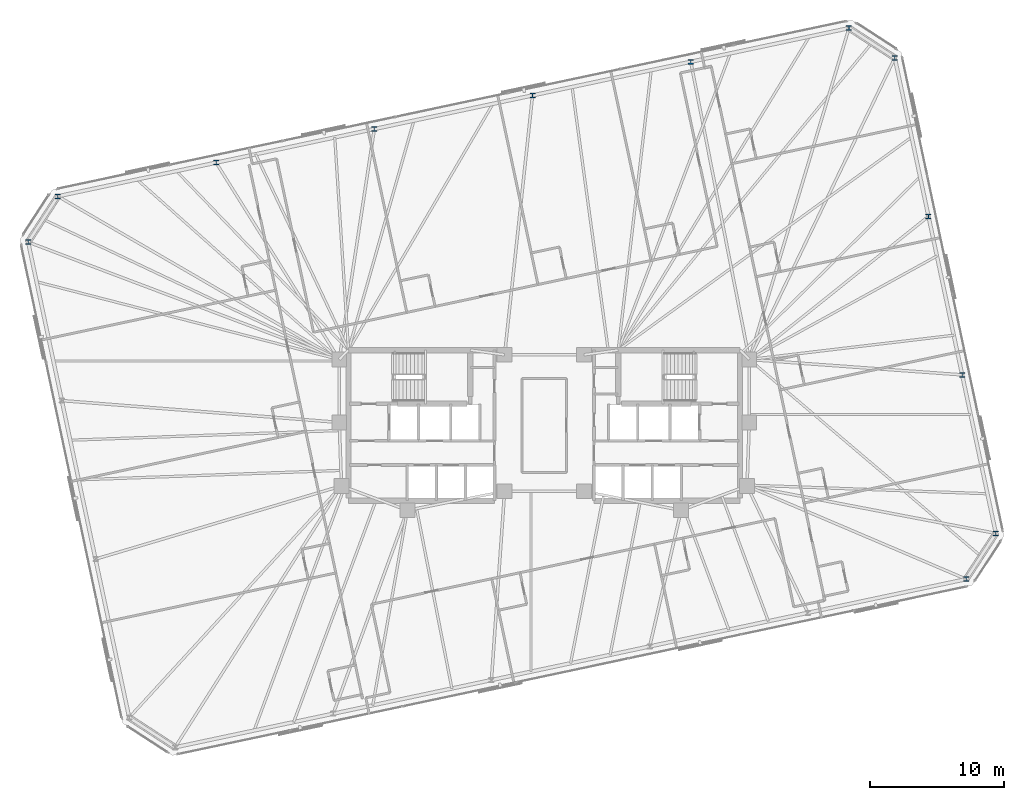
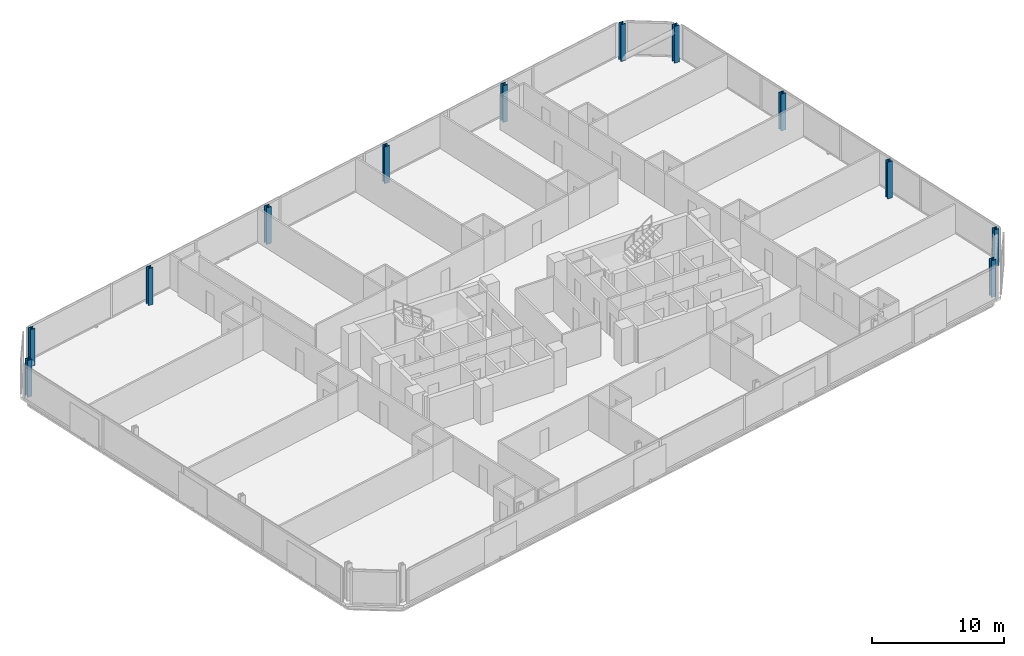
# One storey, part 5 of 19: 12 columns.
"""IFC4 building model written with IfcOpenShell, lengths in metres."""

from ifc_helpers import new_model, si_unit, direction, frame, origin, origin_2d, place, context, subcontext, project, spatial, i_section, extrude, material, material_profile, profile_set, type_object, element, save


model = new_model("IFC4")

# Units and contexts
model_context = context("Model", 3, precision=1e-05, world=origin(), true_north=direction((0.0, 1.0)))
body_context = subcontext(model_context, "Body", "Model", "MODEL_VIEW")
ifc_project = project(units=[si_unit("LENGTHUNIT", "METRE"), si_unit("AREAUNIT", "SQUARE_METRE"), si_unit("VOLUMEUNIT", "CUBIC_METRE"), si_unit("PLANEANGLEUNIT", "RADIAN"), si_unit("MASSUNIT", "GRAM", prefix="KILO")], contexts=[model_context])

# Site, building, storey
site_placement = place(None, origin())
site = spatial("IfcSite", under=ifc_project, at=site_placement, CompositionType="ELEMENT")
building_placement = place(site_placement, origin())
building = spatial("IfcBuilding", under=site, at=building_placement, Name="Menara Jurai Vektor", CompositionType="ELEMENT")
storey_placement = place(building_placement, frame((0.0, 0.0, 154.800048828125)))
storey = spatial("IfcBuildingStorey", under=building, at=storey_placement, Name="L39", CompositionType="ELEMENT", Elevation=154.800048828125)

# Columns
ifc_material = material(Name="Steel S460", Category="steel")
ifc_material_profile = material_profile(ifc_material, i_section(OverallWidth=0.408935546875, OverallDepth=0.3740234375, WebThickness=0.048095703125, FlangeThickness=0.076904296875, FilletRadius=0.014892578125, at=origin_2d()), Name="HD 400x634")
ifc_profile_set = profile_set([ifc_material_profile], Name="Steel S460")
column_type = type_object("IfcColumnType", Name="STR-EXO-BLK3", PredefinedType="COLUMN", material=ifc_profile_set)
for number, where, z_axis, x_axis, name in (
    (1, (31.376220703125, -11.438720703125, 0.0), (0.0, 0.0, 1.0), (1.0, 0.0, 0.0), "Exoskeleton Column BLK3-S6 L39"),
    (2, (33.588623046875, -8.031982421875, 0.0), (0.0, 0.0, 1.0), (1.0, 0.0, 0.0), "Exoskeleton Column BLK3-E1 L39"),
    (3, (31.082763671875, 3.75634765625, 0.0), (0.0, 0.0, 1.0), (1.0, 0.0, 0.0), "Exoskeleton Column BLK3-E2 L39"),
    (4, (28.5771484375, 15.544921875, 0.0), (0.0, 0.0, 1.0), (1.0, 0.0, 0.0), "Exoskeleton Column BLK3-E3 L39"),
    (5, (26.0712890625, 27.33349609375, 0.0), (0.0, 0.0, 1.0), (1.0, 0.0, 0.0), "Exoskeleton Column BLK3-E4 L39"),
    (6, (22.664794921875, 29.545654296875, 0.0), (0.0, 0.0, 1.0), (1.0, 0.0, 0.0), "Exoskeleton Column BLK3-N1 L39"),
    (7, (10.896484375, 27.044189453125, 0.0), (0.0, 0.0, 1.0), (1.0, 0.0, 0.0), "Exoskeleton Column BLK3-N2 L39"),
    (8, (-0.87158203125, 24.54296875, 0.0), (0.0, 0.0, 1.0), (1.0, 0.0, 0.0), "Exoskeleton Column BLK3-N3 L39"),
    (9, (-12.639892578125, 22.04150390625, 0.0), (0.0, 0.0, 1.0), (1.0, 0.0, 0.0), "Exoskeleton Column BLK3-N4 L39"),
    (10, (-24.407958984375, 19.5400390625, 0.0), (0.0, 0.0, 1.0), (1.0, 0.0, 0.0), "Exoskeleton Column BLK3-N5 L39"),
    (11, (-36.17626953125, 17.03857421875, 0.0), (0.0, 0.0, 1.0), (1.0, 0.0, 0.0), "Exoskeleton Column BLK3-N6 L39"),
    (12, (-38.388671875, 13.632080078125, 0.0), (0.0, 0.0, 1.0), (1.0, 0.0, 0.0), "Exoskeleton Column BLK3-W1 L39"),
):
    element("IfcColumn", number, at=place(storey_placement, frame(where, z_axis=z_axis, x_axis=x_axis)), inside=storey, type_object=column_type, Name=name, PredefinedType="COLUMN", context=body_context, shape_type="SweptSolid", body=[
        extrude(i_section(OverallWidth=0.408935546875, OverallDepth=0.3740234375, WebThickness=0.048095703125, FlangeThickness=0.076904296875, FilletRadius=0.014892578125, at=origin_2d()), origin(), (0.0, 0.0, 1.0), 3.39990234375),
    ])

save(model, "model.ifc")
